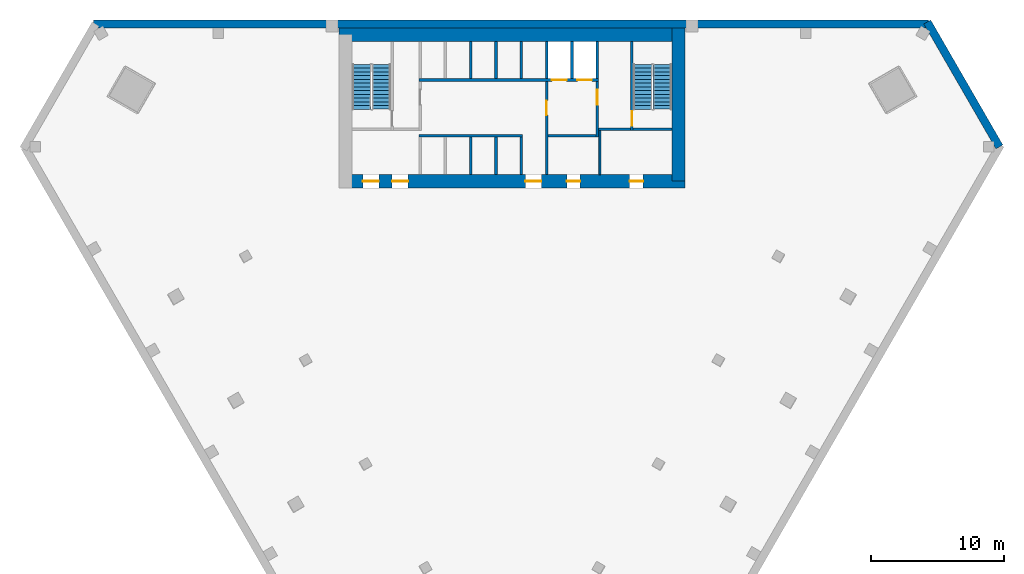
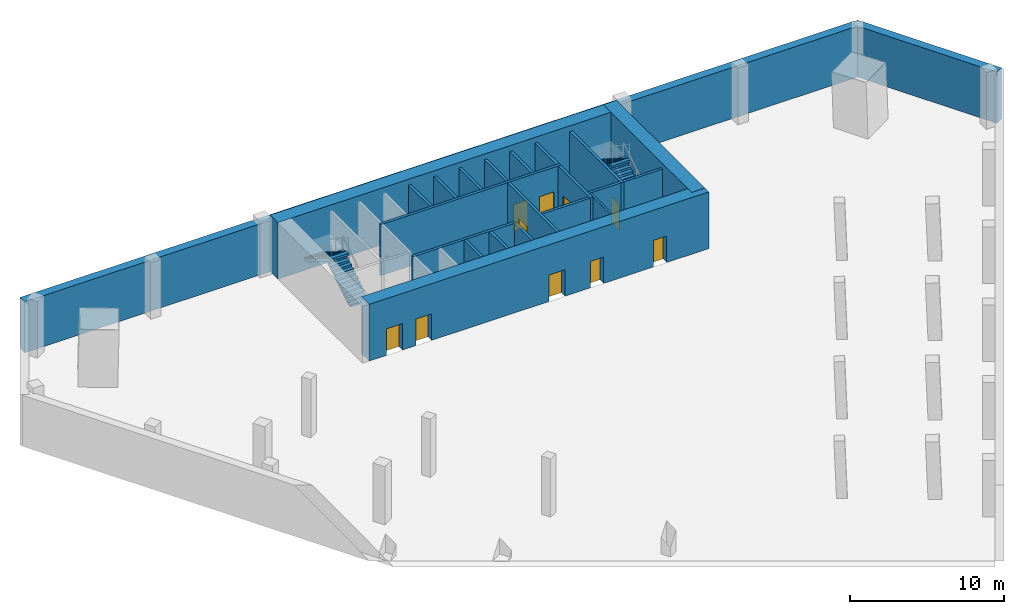
# One storey, part 2 of 3: 23 walls, 10 doors, 4 stair flights, 10 openings, 2 elements without a shape of their own.
"""IFC4 building model written with IfcOpenShell, lengths in metres."""

from ifc_helpers import new_model, si_unit, direction, frame, frame_2d, origin, place, context, subcontext, project, spatial, polyline, rectangle, outline, extrude, material, layer, layer_set, type_object, element, fill, aggregate, save


model = new_model("IFC4")

# Units and contexts
model_context = context("Model", 3, precision=1e-05, world=origin(), true_north=direction((0.0, 1.0)))
body_context = subcontext(model_context, "Body", "Model", "MODEL_VIEW")
ifc_project = project(units=[si_unit("LENGTHUNIT", "METRE"), si_unit("AREAUNIT", "SQUARE_METRE"), si_unit("VOLUMEUNIT", "CUBIC_METRE"), si_unit("PLANEANGLEUNIT", "RADIAN"), si_unit("MASSUNIT", "GRAM", prefix="KILO")], contexts=[model_context])

# Site, building, storey
site_placement = place(None, origin())
site = spatial("IfcSite", under=ifc_project, at=site_placement, CompositionType="ELEMENT")
building_placement = place(site_placement, origin())
building = spatial("IfcBuilding", under=site, at=building_placement, Name="Altiplano Prism Tower", CompositionType="ELEMENT")
storey_placement = place(building_placement, frame((0.0, 0.0, -4.5)))
storey = spatial("IfcBuildingStorey", under=building, at=storey_placement, Name="B1", CompositionType="ELEMENT", Elevation=-4.5)

# Wall, openings, doors
ifc_material_1 = material(Name="Concrete C70/85", Category="concrete")
ifc_layer_1 = layer(ifc_material_1, 1.0)
ifc_layer_set_1 = layer_set([ifc_layer_1], Name="Concrete C70/85")
wall_type_1 = type_object("IfcWallType", Name="Core wall 1000", PredefinedType="SHEAR", material=ifc_layer_set_1)
wall_1_placement = place(storey_placement, frame((72.5, 92.89990234375, 0.0), z_axis=(0.0, 0.0, 1.0), x_axis=(1.0, 0.0, 0.0)))
wall_1 = element("IfcWall", 1, at=wall_1_placement, inside=storey, type_object=wall_type_1, Name="Core wall S B1", PredefinedType="SHEAR", context=body_context, shape_type="SweptSolid", body=[
    extrude(rectangle(XDim=25.5, YDim=1.0, at=frame_2d((12.75, 0.0))), origin(), (0.0, 0.0, 1.0), 4.5),
])
opening_1_placement = place(wall_1_placement, frame((1.300048828125, 0.0, 0.0)))
opening_1 = element("IfcOpeningElement", 2, at=opening_1_placement, cuts=wall_1, Name="Opening D2584", PredefinedType="OPENING", context=body_context, shape_type="SweptSolid", body=[
    extrude(rectangle(XDim=1.199951171875, YDim=2.10009765625, at=frame_2d((0.60009765625, 1.050048828125))), frame((0.0, 0.510498046875, 0.0), z_axis=(0.0, -1.0, 0.0), x_axis=(1.0, 0.0, 0.0)), (0.0, 0.0, 1.0), 1.02099609375),
])
opening_2_placement = place(wall_1_placement, frame((3.5, 0.0, 0.0)))
opening_2 = element("IfcOpeningElement", 3, at=opening_2_placement, cuts=wall_1, Name="Opening D2585", PredefinedType="OPENING", context=body_context, shape_type="SweptSolid", body=[
    extrude(rectangle(XDim=1.199951171875, YDim=2.10009765625, at=frame_2d((0.60009765625, 1.050048828125))), frame((0.0, 0.510498046875, 0.0), z_axis=(0.0, -1.0, 0.0), x_axis=(1.0, 0.0, 0.0)), (0.0, 0.0, 1.0), 1.02099609375),
])
opening_3_placement = place(wall_1_placement, frame((13.5, 0.0, 0.0)))
opening_3 = element("IfcOpeningElement", 4, at=opening_3_placement, cuts=wall_1, Name="Opening D2586", PredefinedType="OPENING", context=body_context, shape_type="SweptSolid", body=[
    extrude(rectangle(XDim=1.199951171875, YDim=2.10009765625, at=frame_2d((0.60009765625, 1.050048828125))), frame((0.0, 0.510498046875, 0.0), z_axis=(0.0, -1.0, 0.0), x_axis=(1.0, 0.0, 0.0)), (0.0, 0.0, 1.0), 1.02099609375),
])
opening_4_placement = place(wall_1_placement, frame((16.612548828125, 0.0, 0.0)))
opening_4 = element("IfcOpeningElement", 5, at=opening_4_placement, cuts=wall_1, Name="Opening D2587", PredefinedType="OPENING", context=body_context, shape_type="SweptSolid", body=[
    extrude(rectangle(XDim=1.0, YDim=2.10009765625, at=frame_2d((0.5, 1.050048828125))), frame((0.0, 0.510498046875, 0.0), z_axis=(0.0, -1.0, 0.0), x_axis=(1.0, 0.0, 0.0)), (0.0, 0.0, 1.0), 1.02099609375),
])
opening_5_placement = place(wall_1_placement, frame((21.33740234375, 0.0, 0.0)))
opening_5 = element("IfcOpeningElement", 6, at=opening_5_placement, cuts=wall_1, Name="Opening D2588", PredefinedType="OPENING", context=body_context, shape_type="SweptSolid", body=[
    extrude(rectangle(XDim=1.0, YDim=2.10009765625, at=frame_2d((0.5, 1.050048828125))), frame((0.0, 0.510498046875, 0.0), z_axis=(0.0, -1.0, 0.0), x_axis=(1.0, 0.0, 0.0)), (0.0, 0.0, 1.0), 1.02099609375),
])
ifc_material_2 = material(Name="Fire-rated steel door", Category="steel")
door_type_1 = type_object("IfcDoorType", Name="Core room door 1000 x 2100", OperationType="NOTDEFINED", PredefinedType="NOTDEFINED", material=ifc_material_2)
door_1_placement = place(opening_4_placement, origin())
door_1 = element("IfcDoor", 7, at=door_1_placement, inside=storey, type_object=door_type_1, Name="Core room door D2587", OperationType="SINGLE_SWING_RIGHT", OverallHeight=2.10009765625, OverallWidth=1.0, PredefinedType="NOTDEFINED", context=body_context, shape_type="SweptSolid", body=[
    extrude(rectangle(XDim=1.0, YDim=2.10009765625, at=frame_2d((0.5, 1.050048828125))), frame((0.0, 0.02490234375, 0.0), z_axis=(0.0, -1.0, 0.0), x_axis=(1.0, 0.0, 0.0)), (0.0, 0.0, 1.0), 0.050048828125),
])
fill(opening_4, door_1)
door_2_placement = place(opening_5_placement, origin())
door_2 = element("IfcDoor", 8, at=door_2_placement, inside=storey, type_object=door_type_1, Name="Core room door D2588", OperationType="SINGLE_SWING_LEFT", OverallHeight=2.10009765625, OverallWidth=1.0, PredefinedType="NOTDEFINED", context=body_context, shape_type="SweptSolid", body=[
    extrude(rectangle(XDim=1.0, YDim=2.10009765625, at=frame_2d((0.5, 1.050048828125))), frame((0.0, 0.02490234375, 0.0), z_axis=(0.0, -1.0, 0.0), x_axis=(1.0, 0.0, 0.0)), (0.0, 0.0, 1.0), 0.050048828125),
])
fill(opening_5, door_2)
door_type_2 = type_object("IfcDoorType", Name="Lobby fire door 1200 x 2100", OperationType="NOTDEFINED", PredefinedType="NOTDEFINED", material=ifc_material_2)
door_3_placement = place(opening_1_placement, origin())
door_3 = element("IfcDoor", 9, at=door_3_placement, inside=storey, type_object=door_type_2, Name="Lobby fire door D2584", OperationType="SINGLE_SWING_RIGHT", OverallHeight=2.10009765625, OverallWidth=1.199951171875, PredefinedType="NOTDEFINED", context=body_context, shape_type="SweptSolid", body=[
    extrude(rectangle(XDim=1.199951171875, YDim=2.10009765625, at=frame_2d((0.60009765625, 1.050048828125))), frame((0.0, 0.02490234375, 0.0), z_axis=(0.0, -1.0, 0.0), x_axis=(1.0, 0.0, 0.0)), (0.0, 0.0, 1.0), 0.050048828125),
])
fill(opening_1, door_3)
door_4_placement = place(opening_2_placement, origin())
door_4 = element("IfcDoor", 10, at=door_4_placement, inside=storey, type_object=door_type_2, Name="Lobby fire door D2585", OperationType="SINGLE_SWING_LEFT", OverallHeight=2.10009765625, OverallWidth=1.199951171875, PredefinedType="NOTDEFINED", context=body_context, shape_type="SweptSolid", body=[
    extrude(rectangle(XDim=1.199951171875, YDim=2.10009765625, at=frame_2d((0.60009765625, 1.050048828125))), frame((0.0, 0.02490234375, 0.0), z_axis=(0.0, -1.0, 0.0), x_axis=(1.0, 0.0, 0.0)), (0.0, 0.0, 1.0), 0.050048828125),
])
fill(opening_2, door_4)
door_5_placement = place(opening_3_placement, origin())
door_5 = element("IfcDoor", 11, at=door_5_placement, inside=storey, type_object=door_type_2, Name="Lobby fire door D2586", OperationType="SINGLE_SWING_RIGHT", OverallHeight=2.10009765625, OverallWidth=1.199951171875, PredefinedType="NOTDEFINED", context=body_context, shape_type="SweptSolid", body=[
    extrude(rectangle(XDim=1.199951171875, YDim=2.10009765625, at=frame_2d((0.60009765625, 1.050048828125))), frame((0.0, 0.02490234375, 0.0), z_axis=(0.0, -1.0, 0.0), x_axis=(1.0, 0.0, 0.0)), (0.0, 0.0, 1.0), 0.050048828125),
])
fill(opening_3, door_5)

# Walls
wall_2_placement = place(storey_placement, frame((97.5, 92.89990234375, 0.0), z_axis=(0.0, 0.0, 1.0), x_axis=(0.0, 1.0, 0.0)))
element("IfcWall", 12, at=wall_2_placement, inside=storey, type_object=wall_type_1, Name="Core wall E B1", PredefinedType="SHEAR", context=body_context, shape_type="SweptSolid", body=[
    extrude(rectangle(XDim=11.5, YDim=1.0, at=frame_2d((5.75, 0.0))), origin(), (0.0, 0.0, 1.0), 4.5),
])
wall_3_placement = place(storey_placement, frame((97.5, 103.89990234375, 0.0), z_axis=(0.0, 0.0, 1.0), x_axis=(-1.0, 0.0, 0.0)))
element("IfcWall", 13, at=wall_3_placement, inside=storey, type_object=wall_type_1, Name="Core wall N B1", PredefinedType="SHEAR", context=body_context, shape_type="SweptSolid", body=[
    extrude(rectangle(XDim=25.5, YDim=1.0, at=frame_2d((12.75, 0.0))), origin(), (0.0, 0.0, 1.0), 4.5),
])
ifc_material_3 = material(Name="Concrete C40/50", Category="concrete")
ifc_layer_2 = layer(ifc_material_3, 0.60009765625)
ifc_layer_set_2 = layer_set([ifc_layer_2], Name="Concrete C40/50")
wall_type_2 = type_object("IfcWallType", Name="Retaining wall 600", PredefinedType="SOLIDWALL", material=ifc_layer_set_2)
wall_4_placement = place(storey_placement, frame((116.261962890625, 104.699951171875, 0.0), z_axis=(0.0, 0.0, 1.0), x_axis=(-1.0, 0.0, 0.0)))
element("IfcWall", 14, at=wall_4_placement, inside=storey, type_object=wall_type_2, Name="Retaining wall B1 1", PredefinedType="SOLIDWALL", context=body_context, shape_type="SweptSolid", body=[
    extrude(rectangle(XDim=62.697265625, YDim=0.60009765625, at=frame_2d((31.3486328125, 0.0))), origin(), (0.0, 0.0, 1.0), 4.050048828125),
])
wall_5_placement = place(storey_placement, frame((121.5888671875, 95.4736328125, 0.0), z_axis=(0.0, 0.0, 1.0), x_axis=(-0.49998791733, 0.866032379605, 0.0)))
element("IfcWall", 15, at=wall_5_placement, inside=storey, type_object=wall_type_2, Name="Retaining wall B1 6", PredefinedType="SOLIDWALL", context=body_context, shape_type="SweptSolid", body=[
    extrude(rectangle(XDim=10.826904296875, YDim=0.60009765625, at=frame_2d((5.41357421875, 0.0))), origin(), (0.0, 0.0, 1.0), 4.050048828125),
])
ifc_material_4 = material(Name="Fire-rated gypsum board partition")
ifc_layer_3 = layer(ifc_material_4, 0.14990234375)
ifc_layer_set_3 = layer_set([ifc_layer_3], Name="Fire-rated gypsum board partition")
wall_type_3 = type_object("IfcWallType", Name="Room partition 150", PredefinedType="PARTITIONING", material=ifc_layer_set_3)
wall_6_placement = place(storey_placement, frame((91.60009765625, 93.39990234375, 0.0), z_axis=(0.0, 0.0, 1.0), x_axis=(0.0, 1.0, 0.0)))
element("IfcWall", 16, at=wall_6_placement, inside=storey, type_object=wall_type_3, Name="Room partition B1", PredefinedType="PARTITIONING", context=body_context, shape_type="SweptSolid", body=[
    extrude(rectangle(XDim=3.300048828125, YDim=0.14990234375, at=frame_2d((1.64990234375, 0.0))), origin(), (0.0, 0.0, 1.0), 4.050048828125),
])
ifc_material_5 = material(Name="Concrete C60/75", Category="concrete")
ifc_layer_4 = layer(ifc_material_5, 0.199951171875)
ifc_layer_set_4 = layer_set([ifc_layer_4], Name="Concrete C60/75")
wall_type_4 = type_object("IfcWallType", Name="Shaft wall 200", PredefinedType="SOLIDWALL", material=ifc_layer_set_4)
for number, where, z_axis, x_axis, name in (
    (17, (81.89990234375, 93.39990234375, 0.0), (0.0, 0.0, 1.0), (0.0, 1.0, 0.0), "Shaft wall B1"),
    (18, (83.800048828125, 93.39990234375, 0.0), (0.0, 0.0, 1.0), (0.0, 1.0, 0.0), "Shaft wall B1"),
    (19, (85.699951171875, 93.39990234375, 0.0), (0.0, 0.0, 1.0), (0.0, 1.0, 0.0), "Shaft wall B1"),
):
    element("IfcWall", number, at=place(storey_placement, frame(where, z_axis=z_axis, x_axis=x_axis)), inside=storey, type_object=wall_type_4, Name=name, PredefinedType="SOLIDWALL", context=body_context, shape_type="SweptSolid", body=[
        extrude(rectangle(XDim=2.800048828125, YDim=0.199951171875, at=frame_2d((1.39990234375, 0.0))), origin(), (0.0, 0.0, 1.0), 4.050048828125),
    ])
wall_7_placement = place(storey_placement, frame((78.0, 96.300048828125, 0.0), z_axis=(0.0, 0.0, 1.0), x_axis=(1.0, 0.0, 0.0)))
element("IfcWall", 20, at=wall_7_placement, inside=storey, type_object=wall_type_4, Name="Shaft wall B1", PredefinedType="SOLIDWALL", context=body_context, shape_type="SweptSolid", body=[
    extrude(rectangle(XDim=7.800048828125, YDim=0.199951171875, at=frame_2d((3.89990234375, 0.0))), origin(), (0.0, 0.0, 1.0), 4.050048828125),
])

# Wall, openings, doors
wall_8_placement = place(storey_placement, frame((78.0, 100.5, 0.0), z_axis=(0.0, 0.0, 1.0), x_axis=(1.0, 0.0, 0.0)))
wall_8 = element("IfcWall", 21, at=wall_8_placement, inside=storey, type_object=wall_type_4, Name="Shaft wall B1", PredefinedType="SOLIDWALL", context=body_context, shape_type="SweptSolid", body=[
    extrude(rectangle(XDim=13.5, YDim=0.199951171875, at=frame_2d((6.75, 0.0))), origin(), (0.0, 0.0, 1.0), 4.050048828125),
])
opening_6_placement = place(wall_8_placement, frame((10.0, 0.0, 0.0)))
opening_6 = element("IfcOpeningElement", 22, at=opening_6_placement, cuts=wall_8, Name="Opening LD-FF1-B1", PredefinedType="OPENING", context=body_context, shape_type="SweptSolid", body=[
    extrude(rectangle(XDim=1.10009765625, YDim=2.10009765625, at=frame_2d((0.550048828125, 1.050048828125))), frame((0.0, 0.1103515625, 0.0), z_axis=(0.0, -1.0, 0.0), x_axis=(1.0, 0.0, 0.0)), (0.0, 0.0, 1.0), 0.220947265625),
])
opening_7_placement = place(wall_8_placement, frame((11.89990234375, 0.0, 0.0)))
opening_7 = element("IfcOpeningElement", 23, at=opening_7_placement, cuts=wall_8, Name="Opening LD-FF2-B1", PredefinedType="OPENING", context=body_context, shape_type="SweptSolid", body=[
    extrude(rectangle(XDim=1.10009765625, YDim=2.10009765625, at=frame_2d((0.550048828125, 1.050048828125))), frame((0.0, 0.1103515625, 0.0), z_axis=(0.0, -1.0, 0.0), x_axis=(1.0, 0.0, 0.0)), (0.0, 0.0, 1.0), 0.220947265625),
])
ifc_material_6 = material(Name="Stainless steel landing door", Category="steel")
door_type_3 = type_object("IfcDoorType", Name="Landing door 1100 x 2100", OperationType="NOTDEFINED", PredefinedType="NOTDEFINED", material=ifc_material_6)
door_6_placement = place(opening_6_placement, origin())
door_6 = element("IfcDoor", 24, at=door_6_placement, inside=storey, type_object=door_type_3, Name="Landing doors FF1", OperationType="SLIDING_TO_RIGHT", OverallHeight=2.10009765625, OverallWidth=1.10009765625, PredefinedType="NOTDEFINED", context=body_context, shape_type="SweptSolid", body=[
    extrude(rectangle(XDim=1.10009765625, YDim=2.10009765625, at=frame_2d((0.550048828125, 1.050048828125))), frame((0.0, 0.02490234375, 0.0), z_axis=(0.0, -1.0, 0.0), x_axis=(1.0, 0.0, 0.0)), (0.0, 0.0, 1.0), 0.050048828125),
])
fill(opening_6, door_6)
door_7_placement = place(opening_7_placement, origin())
door_7 = element("IfcDoor", 25, at=door_7_placement, inside=storey, type_object=door_type_3, Name="Landing doors FF2", OperationType="SLIDING_TO_LEFT", OverallHeight=2.10009765625, OverallWidth=1.10009765625, PredefinedType="NOTDEFINED", context=body_context, shape_type="SweptSolid", body=[
    extrude(rectangle(XDim=1.10009765625, YDim=2.10009765625, at=frame_2d((0.550048828125, 1.050048828125))), frame((0.0, 0.02490234375, 0.0), z_axis=(0.0, -1.0, 0.0), x_axis=(1.0, 0.0, 0.0)), (0.0, 0.0, 1.0), 0.050048828125),
])
fill(opening_7, door_7)

# Walls
for number, where, z_axis, x_axis, name in (
    (26, (81.89990234375, 100.60009765625, 0.0), (0.0, 0.0, 1.0), (0.0, 1.0, 0.0), "Shaft wall B1"),
    (27, (83.800048828125, 100.60009765625, 0.0), (0.0, 0.0, 1.0), (0.0, 1.0, 0.0), "Shaft wall B1"),
    (28, (85.699951171875, 100.60009765625, 0.0), (0.0, 0.0, 1.0), (0.0, 1.0, 0.0), "Shaft wall B1"),
    (29, (87.60009765625, 100.60009765625, 0.0), (0.0, 0.0, 1.0), (0.0, 1.0, 0.0), "Shaft wall B1"),
    (30, (89.5, 100.60009765625, 0.0), (0.0, 0.0, 1.0), (0.0, 1.0, 0.0), "Shaft wall B1"),
    (31, (91.39990234375, 100.60009765625, 0.0), (0.0, 0.0, 1.0), (0.0, 1.0, 0.0), "Shaft wall B1"),
):
    element("IfcWall", number, at=place(storey_placement, frame(where, z_axis=z_axis, x_axis=x_axis)), inside=storey, type_object=wall_type_4, Name=name, PredefinedType="SOLIDWALL", context=body_context, shape_type="SweptSolid", body=[
        extrude(rectangle(XDim=2.7998046875, YDim=0.199951171875, at=frame_2d((1.39990234375, 0.0))), origin(), (0.0, 0.0, 1.0), 4.050048828125),
    ])

# Wall, opening, door
ifc_layer_5 = layer(ifc_material_5, 0.199951171875)
ifc_layer_set_5 = layer_set([ifc_layer_5], Name="Concrete C60/75")
wall_type_5 = type_object("IfcWallType", Name="Stair wall 200", PredefinedType="SOLIDWALL", material=ifc_layer_set_5)
wall_9_placement = place(storey_placement, frame((94.0, 96.699951171875, 0.0), z_axis=(0.0, 0.0, 1.0), x_axis=(0.0, 1.0, 0.0)))
wall_9 = element("IfcWall", 32, at=wall_9_placement, inside=storey, type_object=wall_type_5, Name="Stair wall B1", PredefinedType="SOLIDWALL", context=body_context, shape_type="SweptSolid", body=[
    extrude(rectangle(XDim=6.699951171875, YDim=0.199951171875, at=frame_2d((3.35009765625, 0.0))), origin(), (0.0, 0.0, 1.0), 4.050048828125),
])
opening_8_placement = place(wall_9_placement, frame((0.35009765625, 0.0, 0.0)))
opening_8 = element("IfcOpeningElement", 33, at=opening_8_placement, cuts=wall_9, Name="Opening D2580", PredefinedType="OPENING", context=body_context, shape_type="SweptSolid", body=[
    extrude(rectangle(XDim=1.10009765625, YDim=2.10009765625, at=frame_2d((0.550048828125, 1.050048828125))), frame((0.0, 0.1103515625, 0.0), z_axis=(0.0, -1.0, 0.0), x_axis=(1.0, 0.0, 0.0)), (0.0, 0.0, 1.0), 0.220947265625),
])
door_type_4 = type_object("IfcDoorType", Name="Stair fire door 1100 x 2100", OperationType="NOTDEFINED", PredefinedType="NOTDEFINED", material=ifc_material_2)
door_8_placement = place(opening_8_placement, origin())
door_8 = element("IfcDoor", 34, at=door_8_placement, inside=storey, type_object=door_type_4, Name="Stair fire door D2580", OperationType="SINGLE_SWING_LEFT", OverallHeight=2.10009765625, OverallWidth=1.10009765625, PredefinedType="NOTDEFINED", context=body_context, shape_type="SweptSolid", body=[
    extrude(rectangle(XDim=1.10009765625, YDim=2.10009765625, at=frame_2d((0.550048828125, 1.050048828125))), frame((0.0, 0.02490234375, 0.0), z_axis=(0.0, -1.0, 0.0), x_axis=(1.0, 0.0, 0.0)), (0.0, 0.0, 1.0), 0.050048828125),
])
fill(opening_8, door_8)

# Wall
wall_10_placement = place(storey_placement, frame((94.10009765625, 96.800048828125, 0.0), z_axis=(0.0, 0.0, 1.0), x_axis=(1.0, 0.0, 0.0)))
element("IfcWall", 35, at=wall_10_placement, inside=storey, type_object=wall_type_5, Name="Stair wall B1", PredefinedType="SOLIDWALL", context=body_context, shape_type="SweptSolid", body=[
    extrude(rectangle(XDim=2.89990234375, YDim=0.199951171875, at=frame_2d((1.449951171875, 0.0))), origin(), (0.0, 0.0, 1.0), 4.050048828125),
])

# Wall, opening, door
ifc_layer_6 = layer(ifc_material_5, 0.199951171875)
ifc_layer_set_6 = layer_set([ifc_layer_6], Name="Concrete C60/75")
wall_type_6 = type_object("IfcWallType", Name="Vestibule wall 200", PredefinedType="PARTITIONING", material=ifc_layer_set_6)
wall_11_placement = place(storey_placement, frame((87.60009765625, 93.39990234375, 0.0), z_axis=(0.0, 0.0, 1.0), x_axis=(0.0, 1.0, 0.0)))
wall_11 = element("IfcWall", 36, at=wall_11_placement, inside=storey, type_object=wall_type_6, Name="Vestibule wall B1", PredefinedType="PARTITIONING", context=body_context, shape_type="SweptSolid", body=[
    extrude(rectangle(XDim=7.0, YDim=0.199951171875, at=frame_2d((3.5, 0.0))), origin(), (0.0, 0.0, 1.0), 4.050048828125),
])
opening_9_placement = place(wall_11_placement, frame((4.449951171875, 0.0, 0.0)))
opening_9 = element("IfcOpeningElement", 37, at=opening_9_placement, cuts=wall_11, Name="Opening D2582", PredefinedType="OPENING", context=body_context, shape_type="SweptSolid", body=[
    extrude(rectangle(XDim=1.10009765625, YDim=2.10009765625, at=frame_2d((0.550048828125, 1.050048828125))), frame((0.0, 0.1103515625, 0.0), z_axis=(0.0, -1.0, 0.0), x_axis=(1.0, 0.0, 0.0)), (0.0, 0.0, 1.0), 0.220947265625),
])
door_type_5 = type_object("IfcDoorType", Name="Vestibule fire door 1100 x 2100", OperationType="NOTDEFINED", PredefinedType="NOTDEFINED", material=ifc_material_2)
door_9_placement = place(opening_9_placement, origin())
door_9 = element("IfcDoor", 38, at=door_9_placement, inside=storey, type_object=door_type_5, Name="Vestibule fire door D2582", OperationType="SINGLE_SWING_RIGHT", OverallHeight=2.10009765625, OverallWidth=1.10009765625, PredefinedType="NOTDEFINED", context=body_context, shape_type="SweptSolid", body=[
    extrude(rectangle(XDim=1.10009765625, YDim=2.10009765625, at=frame_2d((0.550048828125, 1.050048828125))), frame((0.0, 0.02490234375, 0.0), z_axis=(0.0, -1.0, 0.0), x_axis=(1.0, 0.0, 0.0)), (0.0, 0.0, 1.0), 0.050048828125),
])
fill(opening_9, door_9)

# Wall
wall_12_placement = place(storey_placement, frame((87.699951171875, 96.300048828125, 0.0), z_axis=(0.0, 0.0, 1.0), x_axis=(1.0, 0.0, 0.0)))
element("IfcWall", 39, at=wall_12_placement, inside=storey, type_object=wall_type_6, Name="Vestibule wall B1", PredefinedType="PARTITIONING", context=body_context, shape_type="SweptSolid", body=[
    extrude(rectangle(XDim=3.60009765625, YDim=0.199951171875, at=frame_2d((1.800048828125, 0.0))), origin(), (0.0, 0.0, 1.0), 4.050048828125),
])

# Wall, opening, door
wall_13_placement = place(storey_placement, frame((91.39990234375, 96.199951171875, 0.0), z_axis=(0.0, 0.0, 1.0), x_axis=(0.0, 1.0, 0.0)))
wall_13 = element("IfcWall", 40, at=wall_13_placement, inside=storey, type_object=wall_type_6, Name="Vestibule wall B1", PredefinedType="PARTITIONING", context=body_context, shape_type="SweptSolid", body=[
    extrude(rectangle(XDim=4.199951171875, YDim=0.199951171875, at=frame_2d((2.10009765625, 0.0))), origin(), (0.0, 0.0, 1.0), 4.050048828125),
])
opening_10_placement = place(wall_13_placement, frame((2.449951171875, 0.0, 0.0)))
opening_10 = element("IfcOpeningElement", 41, at=opening_10_placement, cuts=wall_13, Name="Opening D2583", PredefinedType="OPENING", context=body_context, shape_type="SweptSolid", body=[
    extrude(rectangle(XDim=1.10009765625, YDim=2.10009765625, at=frame_2d((0.550048828125, 1.050048828125))), frame((0.0, 0.1103515625, 0.0), z_axis=(0.0, -1.0, 0.0), x_axis=(1.0, 0.0, 0.0)), (0.0, 0.0, 1.0), 0.220947265625),
])
door_10_placement = place(opening_10_placement, origin())
door_10 = element("IfcDoor", 42, at=door_10_placement, inside=storey, type_object=door_type_5, Name="Vestibule fire door D2583", OperationType="SINGLE_SWING_LEFT", OverallHeight=2.10009765625, OverallWidth=1.10009765625, PredefinedType="NOTDEFINED", context=body_context, shape_type="SweptSolid", body=[
    extrude(rectangle(XDim=1.10009765625, YDim=2.10009765625, at=frame_2d((0.550048828125, 1.050048828125))), frame((0.0, 0.02490234375, 0.0), z_axis=(0.0, -1.0, 0.0), x_axis=(1.0, 0.0, 0.0)), (0.0, 0.0, 1.0), 0.050048828125),
])
fill(opening_10, door_10)

# Wall
wall_14_placement = place(storey_placement, frame((91.5, 96.800048828125, 0.0), z_axis=(0.0, 0.0, 1.0), x_axis=(1.0, 0.0, 0.0)))
element("IfcWall", 43, at=wall_14_placement, inside=storey, type_object=wall_type_6, Name="Vestibule wall B1", PredefinedType="PARTITIONING", context=body_context, shape_type="SweptSolid", body=[
    extrude(rectangle(XDim=2.39990234375, YDim=0.199951171875, at=frame_2d((1.199951171875, 0.0))), origin(), (0.0, 0.0, 1.0), 4.050048828125),
])

# Stair, stair flights
stair_type = type_object("IfcStairType", Name="Exit stair 1400", PredefinedType="HALF_TURN_STAIR", material=ifc_material_3)
stair_1_placement = place(storey_placement, origin())
stair_1 = element("IfcStair", 44, at=stair_1_placement, inside=storey, type_object=stair_type, Name="B1 Exit Stair 1", PredefinedType="HALF_TURN_STAIR")
stair_flight_type = type_object("IfcStairFlightType", Name="Stair flight concrete 150", PredefinedType="STRAIGHT", material=ifc_material_3)
stair_flight_1_placement = place(storey_placement, frame((75.199951171875, 98.300048828125, 0.0), z_axis=(0.0, 0.0, 1.0), x_axis=(0.0, 1.0, 0.0)))
stair_flight_1 = element("IfcStairFlight", 45, at=stair_flight_1_placement, type_object=stair_flight_type, Name="ST1 flight 1", NumberOfRisers=13, NumberOfTreads=12, PredefinedType="STRAIGHT", RiserHeight=0.173076923, TreadLength=0.28, context=body_context, shape_type="SweptSolid", body=[
    extrude(outline(polyline([(0.0, 0.0), (0.0, 0.173095703125), (0.280029296875, 0.173095703125), (0.280029296875, 0.34619140625), (0.56005859375, 0.34619140625), (0.56005859375, 0.519287109375), (0.840087890625, 0.519287109375), (0.840087890625, 0.6923828125), (1.1201171875, 0.6923828125), (1.1201171875, 0.865478515625), (1.39990234375, 0.865478515625), (1.39990234375, 1.03857421875), (1.679931640625, 1.03857421875), (1.679931640625, 1.21142578125), (1.9599609375, 1.21142578125), (1.9599609375, 1.384521484375), (2.239990234375, 1.384521484375), (2.239990234375, 1.5576171875), (2.52001953125, 1.5576171875), (2.52001953125, 1.730712890625), (2.800048828125, 1.730712890625), (2.800048828125, 1.90380859375), (3.080078125, 1.90380859375), (3.080078125, 2.076904296875), (3.360107421875, 2.076904296875), (3.360107421875, 2.25), (3.360107421875, 1.900634765625), (0.28515625, 0.0), (0.0, 0.0)])), frame((0.0, 0.699951171875, 0.0), z_axis=(0.0, -1.0, 0.0), x_axis=(1.0, 0.0, 0.0)), (0.0, 0.0, 1.0), 1.39990234375),
])
stair_flight_2_placement = place(storey_placement, frame((73.699951171875, 101.659912109375, 2.25), z_axis=(0.0, 0.0, 1.0), x_axis=(0.0, -1.0, 0.0)))
stair_flight_2 = element("IfcStairFlight", 46, at=stair_flight_2_placement, type_object=stair_flight_type, Name="ST1 flight 2", NumberOfRisers=13, NumberOfTreads=12, PredefinedType="STRAIGHT", RiserHeight=0.173076923, TreadLength=0.28, context=body_context, shape_type="SweptSolid", body=[
    extrude(outline(polyline([(0.0, 0.0), (0.0, 0.173095703125), (0.280029296875, 0.173095703125), (0.280029296875, 0.34619140625), (0.56005859375, 0.34619140625), (0.56005859375, 0.519287109375), (0.840087890625, 0.519287109375), (0.840087890625, 0.6923828125), (1.1201171875, 0.6923828125), (1.1201171875, 0.865478515625), (1.39990234375, 0.865478515625), (1.39990234375, 1.03857421875), (1.679931640625, 1.03857421875), (1.679931640625, 1.21142578125), (1.9599609375, 1.21142578125), (1.9599609375, 1.384521484375), (2.239990234375, 1.384521484375), (2.239990234375, 1.5576171875), (2.52001953125, 1.5576171875), (2.52001953125, 1.730712890625), (2.800048828125, 1.730712890625), (2.800048828125, 1.90380859375), (3.080078125, 1.90380859375), (3.080078125, 2.076904296875), (3.360107421875, 2.076904296875), (3.360107421875, 2.25), (3.360107421875, 1.900634765625), (0.28515625, 0.0), (0.0, 0.0)])), frame((0.0, 0.699951171875, 0.0), z_axis=(0.0, -1.0, 0.0), x_axis=(1.0, 0.0, 0.0)), (0.0, 0.0, 1.0), 1.39990234375),
])
aggregate(stair_1, [stair_flight_1, stair_flight_2])

stair_2_placement = place(storey_placement, origin())
stair_2 = element("IfcStair", 47, at=stair_2_placement, inside=storey, type_object=stair_type, Name="B1 Exit Stair 2", PredefinedType="HALF_TURN_STAIR")
stair_flight_3_placement = place(storey_placement, frame((96.300048828125, 98.300048828125, 0.0), z_axis=(0.0, 0.0, 1.0), x_axis=(0.0, 1.0, 0.0)))
stair_flight_3 = element("IfcStairFlight", 48, at=stair_flight_3_placement, type_object=stair_flight_type, Name="ST2 flight 1", NumberOfRisers=13, NumberOfTreads=12, PredefinedType="STRAIGHT", RiserHeight=0.173076923, TreadLength=0.28, context=body_context, shape_type="SweptSolid", body=[
    extrude(outline(polyline([(0.0, 0.0), (0.0, 0.173095703125), (0.280029296875, 0.173095703125), (0.280029296875, 0.34619140625), (0.56005859375, 0.34619140625), (0.56005859375, 0.519287109375), (0.840087890625, 0.519287109375), (0.840087890625, 0.6923828125), (1.1201171875, 0.6923828125), (1.1201171875, 0.865478515625), (1.39990234375, 0.865478515625), (1.39990234375, 1.03857421875), (1.679931640625, 1.03857421875), (1.679931640625, 1.21142578125), (1.9599609375, 1.21142578125), (1.9599609375, 1.384521484375), (2.239990234375, 1.384521484375), (2.239990234375, 1.5576171875), (2.52001953125, 1.5576171875), (2.52001953125, 1.730712890625), (2.800048828125, 1.730712890625), (2.800048828125, 1.90380859375), (3.080078125, 1.90380859375), (3.080078125, 2.076904296875), (3.360107421875, 2.076904296875), (3.360107421875, 2.25), (3.360107421875, 1.900634765625), (0.28515625, 0.0), (0.0, 0.0)])), frame((0.0, 0.699951171875, 0.0), z_axis=(0.0, -1.0, 0.0), x_axis=(1.0, 0.0, 0.0)), (0.0, 0.0, 1.0), 1.39990234375),
])
stair_flight_4_placement = place(storey_placement, frame((94.800048828125, 101.659912109375, 2.25), z_axis=(0.0, 0.0, 1.0), x_axis=(0.0, -1.0, 0.0)))
stair_flight_4 = element("IfcStairFlight", 49, at=stair_flight_4_placement, type_object=stair_flight_type, Name="ST2 flight 2", NumberOfRisers=13, NumberOfTreads=12, PredefinedType="STRAIGHT", RiserHeight=0.173076923, TreadLength=0.28, context=body_context, shape_type="SweptSolid", body=[
    extrude(outline(polyline([(0.0, 0.0), (0.0, 0.173095703125), (0.280029296875, 0.173095703125), (0.280029296875, 0.34619140625), (0.56005859375, 0.34619140625), (0.56005859375, 0.519287109375), (0.840087890625, 0.519287109375), (0.840087890625, 0.6923828125), (1.1201171875, 0.6923828125), (1.1201171875, 0.865478515625), (1.39990234375, 0.865478515625), (1.39990234375, 1.03857421875), (1.679931640625, 1.03857421875), (1.679931640625, 1.21142578125), (1.9599609375, 1.21142578125), (1.9599609375, 1.384521484375), (2.239990234375, 1.384521484375), (2.239990234375, 1.5576171875), (2.52001953125, 1.5576171875), (2.52001953125, 1.730712890625), (2.800048828125, 1.730712890625), (2.800048828125, 1.90380859375), (3.080078125, 1.90380859375), (3.080078125, 2.076904296875), (3.360107421875, 2.076904296875), (3.360107421875, 2.25), (3.360107421875, 1.900634765625), (0.28515625, 0.0), (0.0, 0.0)])), frame((0.0, 0.699951171875, 0.0), z_axis=(0.0, -1.0, 0.0), x_axis=(1.0, 0.0, 0.0)), (0.0, 0.0, 1.0), 1.39990234375),
])
aggregate(stair_2, [stair_flight_3, stair_flight_4])

save(model, "model.ifc")
